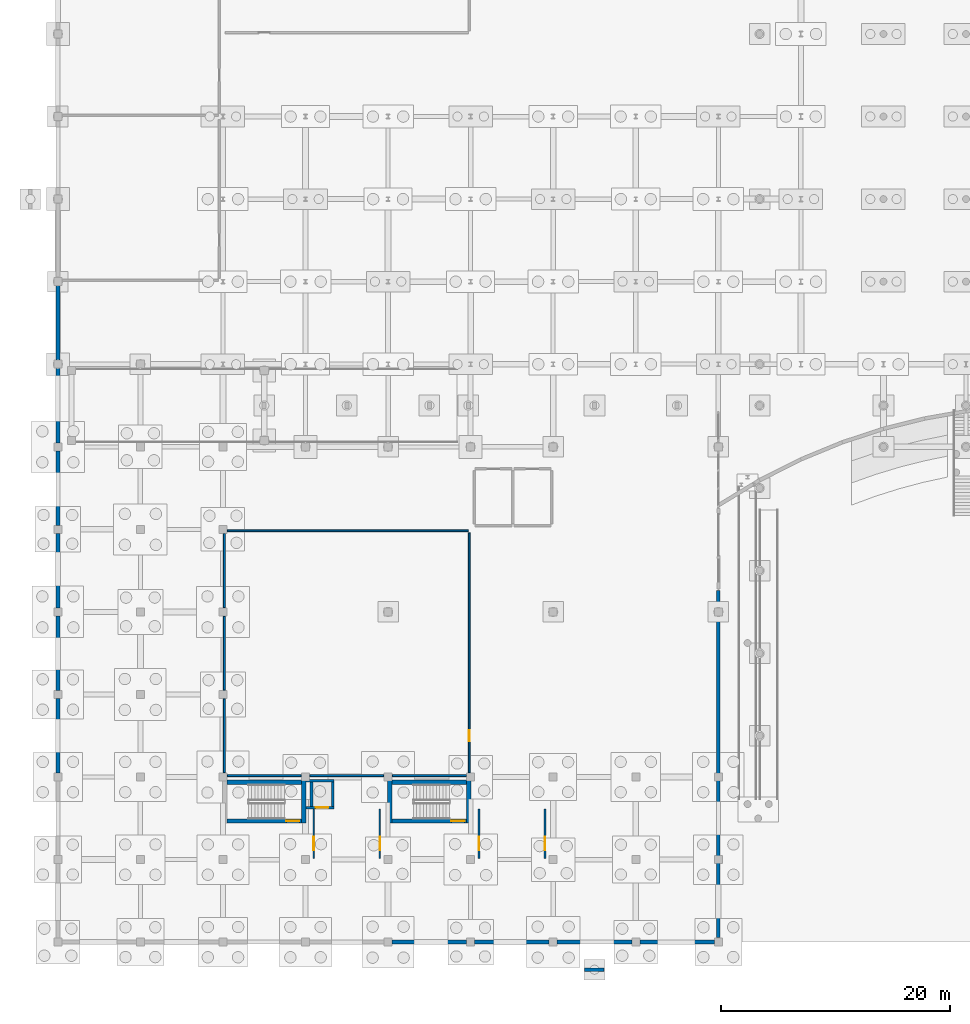
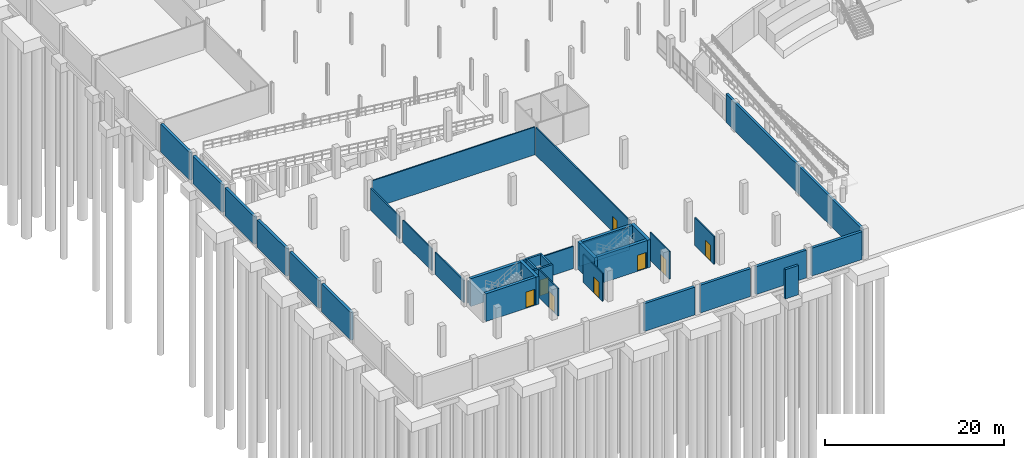
# One storey, part 39 of 56: 35 walls, 8 doors, 8 openings.
"""IFC4 building model written with IfcOpenShell, lengths in metres."""

import ifcopenshell
import ifcopenshell.guid

model = None  # the IFC model being written
_history = None  # IfcOwnerHistory: only IFC2X3 demands one
_inside = {}  # id of a spatial element -> (the spatial element, [elements in it])
_under = {}  # id of a project, library or spatial element -> (it, [spatial elements below it])
_declared = {}  # id of a project -> (the project, [libraries it declares])
_typed = {}  # id of a type object -> (the type object, [elements of that type])
_made_of = {}  # id of a material, layer set ... -> (it, [elements and type objects made of it])


def new_model(schema):
    """Start an empty IFC model of exactly this schema.

    Asked for "IFC4X3", IfcOpenShell would pick the latest addendum, in which some entities
    have other attributes; the version numbers below select the first issue.
    IFC2X3 requires an IfcOwnerHistory on every rooted entity: one is made here for all.
    """
    global model, _history
    if schema == "IFC4X3":
        model = ifcopenshell.file(schema_version=(4, 3, 0, 0))
    else:
        model = ifcopenshell.file(schema=schema)
    _inside.clear()
    _under.clear()
    _declared.clear()
    _typed.clear()
    _made_of.clear()
    _history = None
    if model.schema == "IFC2X3":
        org = make("IfcOrganization", Name="unknown")
        user = make(
            "IfcPersonAndOrganization",
            ThePerson=make("IfcPerson", FamilyName="unknown"),
            TheOrganization=org,
        )
        app = make(
            "IfcApplication",
            ApplicationDeveloper=org,
            Version="unknown",
            ApplicationFullName="unknown",
            ApplicationIdentifier="unknown",
        )
        _history = make(
            "IfcOwnerHistory",
            OwningUser=user,
            OwningApplication=app,
            ChangeAction="ADDED",
            CreationDate=0,
        )
    return model


def make(cls, **values):
    """One entity of the class cls with the attributes given. An attribute that is None is left unset."""
    return model.create_entity(
        cls, **{name: value for name, value in values.items() if value is not None}
    )


def rooted(cls, **values):
    """An entity with a GlobalId (a new one), such as an element, a storey or a relation."""
    return make(cls, GlobalId=ifcopenshell.guid.new(), OwnerHistory=_history, **values)


def si_unit(unit_type, name, prefix=None):
    """IfcSIUnit, for example si_unit("LENGTHUNIT", "METRE", prefix="MILLI")."""
    return make("IfcSIUnit", UnitType=unit_type, Prefix=prefix, Name=name)


def assignment(units):
    """IfcUnitAssignment: the units of a project."""
    return None if units is None else make("IfcUnitAssignment", Units=units)


def point(xyz):
    """IfcCartesianPoint."""
    return None if xyz is None else make("IfcCartesianPoint", Coordinates=xyz)


def direction(xyz):
    """IfcDirection."""
    return None if xyz is None else make("IfcDirection", DirectionRatios=xyz)


def frame(location, z_axis=None, x_axis=None):
    """IfcAxis2Placement3D, a coordinate frame: its origin and axes. An axis left out is left unset."""
    return make(
        "IfcAxis2Placement3D",
        Location=point(location),
        Axis=direction(z_axis),
        RefDirection=direction(x_axis),
    )


def frame_2d(location, x_axis=None):
    """IfcAxis2Placement2D, a coordinate frame in the plane: its origin and x axis."""
    return make(
        "IfcAxis2Placement2D", Location=point(location), RefDirection=direction(x_axis)
    )


def origin():
    """The frame at (0, 0, 0) with its axes left unset."""
    return frame((0.0, 0.0, 0.0))


def place(relative_to, where):
    """IfcLocalPlacement: puts the frame where relative to a parent placement (None: the world)."""
    return make(
        "IfcLocalPlacement", PlacementRelTo=relative_to, RelativePlacement=where
    )


def context(
    kind, dimensions, precision=None, world=None, true_north=None, identifier=None
):
    """IfcGeometricRepresentationContext, for example the 3D "Model" context."""
    return make(
        "IfcGeometricRepresentationContext",
        ContextIdentifier=identifier,
        ContextType=kind,
        CoordinateSpaceDimension=dimensions,
        Precision=precision,
        WorldCoordinateSystem=world,
        TrueNorth=true_north,
    )


def subcontext(parent, identifier, kind, view, scale=None):
    """IfcGeometricRepresentationSubContext, for example "Body" below "Model"."""
    return make(
        "IfcGeometricRepresentationSubContext",
        ContextIdentifier=identifier,
        ContextType=kind,
        ParentContext=parent,
        TargetScale=scale,
        TargetView=view,
    )


def project(units=None, contexts=None):
    """IfcProject with its units and contexts."""
    return rooted(
        "IfcProject",
        Name="project",
        RepresentationContexts=contexts,
        UnitsInContext=assignment(units),
    )


def spatial(cls, under=None, at=None, **own):
    """A site, building, storey or space (cls), placed at a placement, below another one or the project."""
    s = rooted(cls, ObjectPlacement=at, **own)
    if under is not None:
        _under.setdefault(under.id(), (under, []))[1].append(s)
    return s


def profile(cls, at=None, kind="AREA", **sizes):
    """A parametric profile (cls). Its sizes go by their IFC names, for example OverallWidth=200.0."""
    return make(cls, ProfileType=kind, Position=at, **sizes)


def rectangle(**sizes):
    """IfcRectangleProfileDef."""
    return profile("IfcRectangleProfileDef", **sizes)


def extrude(swept, where, along, depth):
    """IfcExtrudedAreaSolid: the profile swept, set in the frame where, extruded along a direction by depth."""
    return make(
        "IfcExtrudedAreaSolid",
        SweptArea=swept,
        Position=where,
        ExtrudedDirection=direction(along),
        Depth=depth,
    )


def shape(context_of_items, identifier, shape_type, items):
    """IfcShapeRepresentation: the items that make up one representation, for example the "Body"."""
    return make(
        "IfcShapeRepresentation",
        ContextOfItems=context_of_items,
        RepresentationIdentifier=identifier,
        RepresentationType=shape_type,
        Items=items,
    )


def material(Name=None, Category=None):
    """IfcMaterial."""
    return make("IfcMaterial", Name=Name, Category=Category)


def layer(
    of_material, thickness, ventilated=None, Name=None, Category=None, Priority=None
):
    """IfcMaterialLayer: one layer of a wall or slab, of a material (None: an air gap)."""
    return make(
        "IfcMaterialLayer",
        Material=of_material,
        LayerThickness=thickness,
        IsVentilated=ventilated,
        Name=Name,
        Category=Category,
        Priority=Priority,
    )


def layer_set(layers, Name=None):
    """IfcMaterialLayerSet."""
    return make("IfcMaterialLayerSet", MaterialLayers=layers, LayerSetName=Name)


def made_of(thing, what):
    """Note that an element or type object is made of a material, layer set ...; save() writes the relation."""
    if what is not None:
        _made_of.setdefault(what.id(), (what, []))[1].append(thing)
    return thing


def type_object(cls, material=None, **own):
    """A type object (cls), such as IfcWallType, which elements share."""
    return made_of(rooted(cls, **own), material)


def element(
    cls,
    number,
    at=None,
    inside=None,
    cuts=None,
    type_object=None,
    material=None,
    context=None,
    identifier="Body",
    shape_type=None,
    held_by="IfcProductDefinitionShape",
    body=None,
    shapes=None,
    **own,
):
    """One element of the class cls, such as IfcWall. Its Tag is "e" and its number.

    at: its placement. inside: the storey or other place that contains it. cuts: it is an
    opening in that element (IfcRelVoidsElement). A single representation is given by context,
    identifier, shape_type and body (its items); several are given by shapes. held_by: the class
    of the entity that holds the representations. save() writes the other relations.
    """
    e = rooted(cls, Tag="e%d" % number, ObjectPlacement=at, **own)
    if body is not None:
        shapes = [shape(context, identifier, shape_type, body)]
    if shapes is not None:
        e.Representation = make(held_by, Representations=shapes)
    if inside is not None:
        _inside.setdefault(inside.id(), (inside, []))[1].append(e)
    if cuts is not None:
        rooted(
            "IfcRelVoidsElement", RelatingBuildingElement=cuts, RelatedOpeningElement=e
        )
    if type_object is not None:
        _typed.setdefault(type_object.id(), (type_object, []))[1].append(e)
    return made_of(e, material)


def fill(opening, filler):
    """IfcRelFillsElement: the door or window that sits in an opening."""
    return rooted(
        "IfcRelFillsElement",
        RelatingOpeningElement=opening,
        RelatedBuildingElement=filler,
    )


def aggregate(whole, parts):
    """IfcRelAggregates: a whole, such as a stair, and the parts it consists of."""
    return rooted("IfcRelAggregates", RelatingObject=whole, RelatedObjects=parts)


def save(model, path):
    """Write the relations noted so far, then the file.

    IfcRelAggregates (storeys below a building ...), IfcRelContainedInSpatialStructure (elements
    in a storey), IfcRelDefinesByType, IfcRelAssociatesMaterial and IfcRelDeclares: one each for
    every whole, place, type object, material and project.
    """
    for whole, parts in _under.values():
        aggregate(whole, parts)
    for where, things in _inside.values():
        rooted(
            "IfcRelContainedInSpatialStructure",
            RelatedElements=things,
            RelatingStructure=where,
        )
    for kind, things in _typed.values():
        rooted("IfcRelDefinesByType", RelatedObjects=things, RelatingType=kind)
    for what, things in _made_of.values():
        rooted("IfcRelAssociatesMaterial", RelatedObjects=things, RelatingMaterial=what)
    for by, libraries in _declared.values():
        rooted("IfcRelDeclares", RelatingContext=by, RelatedDefinitions=libraries)
    model.write(path)


model = new_model("IFC4")

# Units and contexts
model_context = context("Model", 3, precision=1e-05, world=origin(), true_north=direction((0.0, 1.0)))
body_context = subcontext(model_context, "Body", "Model", "MODEL_VIEW")
ifc_project = project(units=[si_unit("LENGTHUNIT", "METRE"), si_unit("AREAUNIT", "SQUARE_METRE"), si_unit("VOLUMEUNIT", "CUBIC_METRE"), si_unit("PLANEANGLEUNIT", "RADIAN"), si_unit("MASSUNIT", "GRAM", prefix="KILO")], contexts=[model_context])

# Site, building, storey
site_placement = place(None, origin())
site = spatial("IfcSite", under=ifc_project, at=site_placement, CompositionType="ELEMENT")
building_placement = place(site_placement, origin())
building = spatial("IfcBuilding", under=site, at=building_placement, Name="Suanplinth Sawtooth Commons", CompositionType="ELEMENT")
storey_placement = place(building_placement, frame((0.0, 0.0, -4.199951171875)))
storey = spatial("IfcBuildingStorey", under=building, at=storey_placement, Name="B1", CompositionType="ELEMENT", Elevation=-4.199951171875)

# Wall, opening, door
ifc_material_1 = material(Name="Concrete C40/50", Category="concrete")
ifc_layer_1 = layer(ifc_material_1, 0.3798828125, Name="Lower high-rise RC core shear wall 380mm")
ifc_layer_set_1 = layer_set([ifc_layer_1], Name="Concrete C40/50")
wall_type_1 = type_object("IfcWallType", Name="W-CR01", PredefinedType="SHEAR", material=ifc_layer_set_1)
wall_1_placement = place(storey_placement, frame((14.75, 10.56005859375, 0.0), z_axis=(0.0, 0.0, 1.0), x_axis=(1.0, 0.0, 0.0)))
wall_1 = element("IfcWall", 1, at=wall_1_placement, inside=storey, type_object=wall_type_1, Name="W-B1-C-D1-STS", PredefinedType="SHEAR", context=body_context, shape_type="SweptSolid", body=[
    extrude(rectangle(XDim=6.5, YDim=0.3798828125, at=frame_2d((3.25, 0.0))), origin(), (0.0, 0.0, 1.0), 3.7900390625),
])
opening_1_placement = place(wall_1_placement, frame((5.169921875, 0.0, 0.0)))
opening_1 = element("IfcOpeningElement", 2, at=opening_1_placement, cuts=wall_1, Name="Opening FD0357", PredefinedType="OPENING", context=body_context, shape_type="SweptSolid", body=[
    extrude(rectangle(XDim=1.14990234375, YDim=2.199951171875, at=frame_2d((0.574951171875, 1.10009765625))), frame((0.0, 0.204833984375, 0.0), z_axis=(0.0, -1.0, 0.0), x_axis=(1.0, 0.0, 0.0)), (0.0, 0.0, 1.0), 0.40966796875),
])
ifc_material_2 = material(Name="Teak hardwood fire-rated door assembly", Category="wood")
door_type_1 = type_object("IfcDoorType", Name="FD-01", OperationType="NOTDEFINED", PredefinedType="DOOR", material=ifc_material_2)
door_1_placement = place(opening_1_placement, origin())
door_1 = element("IfcDoor", 3, at=door_1_placement, inside=storey, type_object=door_type_1, Name="Exit Stair Fire Door FD0357", OperationType="SINGLE_SWING_RIGHT", OverallHeight=2.199951171875, OverallWidth=1.14990234375, PredefinedType="DOOR", context=body_context, shape_type="SweptSolid", body=[
    extrude(rectangle(XDim=1.14990234375, YDim=2.199951171875, at=frame_2d((0.574951171875, 1.10009765625))), frame((0.0, 0.02490234375, 0.0), z_axis=(0.0, -1.0, 0.0), x_axis=(1.0, 0.0, 0.0)), (0.0, 0.0, 1.0), 0.050048828125),
])
fill(opening_1, door_1)

# Walls
wall_2_placement = place(storey_placement, frame((14.75, 13.93994140625, 0.0), z_axis=(0.0, 0.0, 1.0), x_axis=(1.0, 0.0, 0.0)))
element("IfcWall", 4, at=wall_2_placement, inside=storey, type_object=wall_type_1, Name="W-B1-C-D1-STN", PredefinedType="SHEAR", context=body_context, shape_type="SweptSolid", body=[
    extrude(rectangle(XDim=6.5, YDim=0.3798828125, at=frame_2d((3.25, 0.0))), origin(), (0.0, 0.0, 1.0), 3.7900390625),
])
wall_3_placement = place(storey_placement, frame((21.43994140625, 10.3701171875, 0.0), z_axis=(0.0, 0.0, 1.0), x_axis=(0.0, 1.0, 0.0)))
element("IfcWall", 5, at=wall_3_placement, inside=storey, type_object=wall_type_1, Name="W-B1-C-D1-STE", PredefinedType="SHEAR", context=body_context, shape_type="SweptSolid", body=[
    extrude(rectangle(XDim=3.829833984375, YDim=0.3798828125, at=frame_2d((1.9150390625, 0.0))), origin(), (0.0, 0.0, 1.0), 3.7900390625),
])

# Wall, opening, door
wall_4_placement = place(storey_placement, frame((29.14990234375, 10.56005859375, 0.0), z_axis=(0.0, 0.0, 1.0), x_axis=(1.0, 0.0, 0.0)))
wall_4 = element("IfcWall", 6, at=wall_4_placement, inside=storey, type_object=wall_type_1, Name="W-B1-C-D2-STS", PredefinedType="SHEAR", context=body_context, shape_type="SweptSolid", body=[
    extrude(rectangle(XDim=6.5, YDim=0.3798828125, at=frame_2d((3.25, 0.0))), origin(), (0.0, 0.0, 1.0), 3.7900390625),
])
opening_2_placement = place(wall_4_placement, frame((5.169921875, 0.0, 0.0)))
opening_2 = element("IfcOpeningElement", 7, at=opening_2_placement, cuts=wall_4, Name="Opening FD0397", PredefinedType="OPENING", context=body_context, shape_type="SweptSolid", body=[
    extrude(rectangle(XDim=1.14990234375, YDim=2.199951171875, at=frame_2d((0.574951171875, 1.10009765625))), frame((0.0, 0.204833984375, 0.0), z_axis=(0.0, -1.0, 0.0), x_axis=(1.0, 0.0, 0.0)), (0.0, 0.0, 1.0), 0.40966796875),
])
door_2_placement = place(opening_2_placement, origin())
door_2 = element("IfcDoor", 8, at=door_2_placement, inside=storey, type_object=door_type_1, Name="Exit Stair Fire Door FD0397", OperationType="SINGLE_SWING_RIGHT", OverallHeight=2.199951171875, OverallWidth=1.14990234375, PredefinedType="DOOR", context=body_context, shape_type="SweptSolid", body=[
    extrude(rectangle(XDim=1.14990234375, YDim=2.199951171875, at=frame_2d((0.574951171875, 1.10009765625))), frame((0.0, 0.02490234375, 0.0), z_axis=(0.0, -1.0, 0.0), x_axis=(1.0, 0.0, 0.0)), (0.0, 0.0, 1.0), 0.050048828125),
])
fill(opening_2, door_2)

# Walls
wall_5_placement = place(storey_placement, frame((29.14990234375, 13.93994140625, 0.0), z_axis=(0.0, 0.0, 1.0), x_axis=(1.0, 0.0, 0.0)))
element("IfcWall", 9, at=wall_5_placement, inside=storey, type_object=wall_type_1, Name="W-B1-C-D2-STN", PredefinedType="SHEAR", context=body_context, shape_type="SweptSolid", body=[
    extrude(rectangle(XDim=6.5, YDim=0.3798828125, at=frame_2d((3.25, 0.0))), origin(), (0.0, 0.0, 1.0), 3.7900390625),
])
for number, where, z_axis, x_axis, name in (
    (10, (28.9599609375, 10.3701171875, 0.0), (0.0, 0.0, 1.0), (0.0, 1.0, 0.0), "W-B1-C-D2-STW"),
    (11, (35.840087890625, 10.3701171875, 0.0), (0.0, 0.0, 1.0), (0.0, 1.0, 0.0), "W-B1-C-D2-STE"),
):
    element("IfcWall", number, at=place(storey_placement, frame(where, z_axis=z_axis, x_axis=x_axis)), inside=storey, type_object=wall_type_1, Name=name, PredefinedType="SHEAR", context=body_context, shape_type="SweptSolid", body=[
        extrude(rectangle(XDim=3.759765625, YDim=0.3798828125, at=frame_2d((1.8798828125, 0.0))), origin(), (0.0, 0.0, 1.0), 3.7900390625),
    ])

# Wall, opening, door
ifc_material_3 = material(Name="Precast concrete C40/50", Category="concrete")
ifc_layer_2 = layer(ifc_material_3, 0.159912109375, Name="Fire-rated corridor and lobby wall 160mm")
ifc_layer_set_2 = layer_set([ifc_layer_2], Name="Precast concrete C40/50")
wall_type_2 = type_object("IfcWallType", Name="W-FW01", PredefinedType="PARTITIONING", material=ifc_layer_set_2)
wall_6_placement = place(storey_placement, frame((22.320068359375, 7.280029296875, 0.0), z_axis=(0.0, 0.0, 1.0), x_axis=(0.0, 1.0, 0.0)))
wall_6 = element("IfcWall", 12, at=wall_6_placement, inside=storey, type_object=wall_type_2, Name="W-B1-C-D1-LOB-W", PredefinedType="PARTITIONING", context=body_context, shape_type="SweptSolid", body=[
    extrude(rectangle(XDim=4.320068359375, YDim=0.159912109375, at=frame_2d((2.16015625, 0.0))), origin(), (0.0, 0.0, 1.0), 3.7900390625),
])
opening_3_placement = place(wall_6_placement, frame((0.719970703125, 0.0, 0.0)))
opening_3 = element("IfcOpeningElement", 13, at=opening_3_placement, cuts=wall_6, Name="Opening FD0358", PredefinedType="OPENING", context=body_context, shape_type="SweptSolid", body=[
    extrude(rectangle(XDim=1.199951171875, YDim=2.199951171875, at=frame_2d((0.60009765625, 1.10009765625))), frame((0.0, 0.0947265625, 0.0), z_axis=(0.0, -1.0, 0.0), x_axis=(1.0, 0.0, 0.0)), (0.0, 0.0, 1.0), 0.189697265625),
])
door_type_2 = type_object("IfcDoorType", Name="FD-02", OperationType="NOTDEFINED", PredefinedType="DOOR", material=ifc_material_2)
door_3_placement = place(opening_3_placement, origin())
door_3 = element("IfcDoor", 14, at=door_3_placement, inside=storey, type_object=door_type_2, Name="Lobby Fire Door FD0358", OperationType="SINGLE_SWING_LEFT", OverallHeight=2.199951171875, OverallWidth=1.199951171875, PredefinedType="DOOR", context=body_context, shape_type="SweptSolid", body=[
    extrude(rectangle(XDim=1.199951171875, YDim=2.199951171875, at=frame_2d((0.60009765625, 1.10009765625))), frame((0.0, 0.02490234375, 0.0), z_axis=(0.0, -1.0, 0.0), x_axis=(1.0, 0.0, 0.0)), (0.0, 0.0, 1.0), 0.050048828125),
])
fill(opening_3, door_3)

wall_7_placement = place(storey_placement, frame((28.080078125, 7.280029296875, 0.0), z_axis=(0.0, 0.0, 1.0), x_axis=(0.0, 1.0, 0.0)))
wall_7 = element("IfcWall", 15, at=wall_7_placement, inside=storey, type_object=wall_type_2, Name="W-B1-C-D1-LOB-E", PredefinedType="PARTITIONING", context=body_context, shape_type="SweptSolid", body=[
    extrude(rectangle(XDim=4.320068359375, YDim=0.159912109375, at=frame_2d((2.16015625, 0.0))), origin(), (0.0, 0.0, 1.0), 3.7900390625),
])
opening_4_placement = place(wall_7_placement, frame((0.719970703125, 0.0, 0.0)))
opening_4 = element("IfcOpeningElement", 16, at=opening_4_placement, cuts=wall_7, Name="Opening FD0359", PredefinedType="OPENING", context=body_context, shape_type="SweptSolid", body=[
    extrude(rectangle(XDim=1.199951171875, YDim=2.199951171875, at=frame_2d((0.60009765625, 1.10009765625))), frame((0.0, 0.0947265625, 0.0), z_axis=(0.0, -1.0, 0.0), x_axis=(1.0, 0.0, 0.0)), (0.0, 0.0, 1.0), 0.189697265625),
])
door_4_placement = place(opening_4_placement, frame((1.199951171875, 0.0, 0.0), z_axis=(0.0, 0.0, 1.0), x_axis=(-1.0, 0.0, 0.0)))
door_4 = element("IfcDoor", 17, at=door_4_placement, inside=storey, type_object=door_type_2, Name="Lobby Fire Door FD0359", OperationType="SINGLE_SWING_RIGHT", OverallHeight=2.199951171875, OverallWidth=1.199951171875, PredefinedType="DOOR", context=body_context, shape_type="SweptSolid", body=[
    extrude(rectangle(XDim=1.199951171875, YDim=2.199951171875, at=frame_2d((0.60009765625, 1.10009765625))), frame((0.0, 0.02490234375, 0.0), z_axis=(0.0, -1.0, 0.0), x_axis=(1.0, 0.0, 0.0)), (0.0, 0.0, 1.0), 0.050048828125),
])
fill(opening_4, door_4)

wall_8_placement = place(storey_placement, frame((36.719970703125, 7.280029296875, 0.0), z_axis=(0.0, 0.0, 1.0), x_axis=(0.0, 1.0, 0.0)))
wall_8 = element("IfcWall", 18, at=wall_8_placement, inside=storey, type_object=wall_type_2, Name="W-B1-C-D2-LOB-W", PredefinedType="PARTITIONING", context=body_context, shape_type="SweptSolid", body=[
    extrude(rectangle(XDim=4.320068359375, YDim=0.159912109375, at=frame_2d((2.16015625, 0.0))), origin(), (0.0, 0.0, 1.0), 3.7900390625),
])
opening_5_placement = place(wall_8_placement, frame((0.719970703125, 0.0, 0.0)))
opening_5 = element("IfcOpeningElement", 19, at=opening_5_placement, cuts=wall_8, Name="Opening FD0398", PredefinedType="OPENING", context=body_context, shape_type="SweptSolid", body=[
    extrude(rectangle(XDim=1.199951171875, YDim=2.199951171875, at=frame_2d((0.60009765625, 1.10009765625))), frame((0.0, 0.0947265625, 0.0), z_axis=(0.0, -1.0, 0.0), x_axis=(1.0, 0.0, 0.0)), (0.0, 0.0, 1.0), 0.189697265625),
])
door_5_placement = place(opening_5_placement, origin())
door_5 = element("IfcDoor", 20, at=door_5_placement, inside=storey, type_object=door_type_2, Name="Lobby Fire Door FD0398", OperationType="SINGLE_SWING_LEFT", OverallHeight=2.199951171875, OverallWidth=1.199951171875, PredefinedType="DOOR", context=body_context, shape_type="SweptSolid", body=[
    extrude(rectangle(XDim=1.199951171875, YDim=2.199951171875, at=frame_2d((0.60009765625, 1.10009765625))), frame((0.0, 0.02490234375, 0.0), z_axis=(0.0, -1.0, 0.0), x_axis=(1.0, 0.0, 0.0)), (0.0, 0.0, 1.0), 0.050048828125),
])
fill(opening_5, door_5)

wall_9_placement = place(storey_placement, frame((42.47998046875, 7.280029296875, 0.0), z_axis=(0.0, 0.0, 1.0), x_axis=(0.0, 1.0, 0.0)))
wall_9 = element("IfcWall", 21, at=wall_9_placement, inside=storey, type_object=wall_type_2, Name="W-B1-C-D2-LOB-E", PredefinedType="PARTITIONING", context=body_context, shape_type="SweptSolid", body=[
    extrude(rectangle(XDim=4.320068359375, YDim=0.159912109375, at=frame_2d((2.16015625, 0.0))), origin(), (0.0, 0.0, 1.0), 3.7900390625),
])
opening_6_placement = place(wall_9_placement, frame((0.719970703125, 0.0, 0.0)))
opening_6 = element("IfcOpeningElement", 22, at=opening_6_placement, cuts=wall_9, Name="Opening FD0399", PredefinedType="OPENING", context=body_context, shape_type="SweptSolid", body=[
    extrude(rectangle(XDim=1.199951171875, YDim=2.199951171875, at=frame_2d((0.60009765625, 1.10009765625))), frame((0.0, 0.0947265625, 0.0), z_axis=(0.0, -1.0, 0.0), x_axis=(1.0, 0.0, 0.0)), (0.0, 0.0, 1.0), 0.189697265625),
])
door_6_placement = place(opening_6_placement, frame((1.199951171875, 0.0, 0.0), z_axis=(0.0, 0.0, 1.0), x_axis=(-1.0, 0.0, 0.0)))
door_6 = element("IfcDoor", 23, at=door_6_placement, inside=storey, type_object=door_type_2, Name="Lobby Fire Door FD0399", OperationType="SINGLE_SWING_RIGHT", OverallHeight=2.199951171875, OverallWidth=1.199951171875, PredefinedType="DOOR", context=body_context, shape_type="SweptSolid", body=[
    extrude(rectangle(XDim=1.199951171875, YDim=2.199951171875, at=frame_2d((0.60009765625, 1.10009765625))), frame((0.0, 0.02490234375, 0.0), z_axis=(0.0, -1.0, 0.0), x_axis=(1.0, 0.0, 0.0)), (0.0, 0.0, 1.0), 0.050048828125),
])
fill(opening_6, door_6)

# Walls
wall_10_placement = place(storey_placement, frame((14.780029296875, 35.8798828125, 0.0), z_axis=(0.0, 0.0, 1.0), x_axis=(1.0, 0.0, 0.0)))
element("IfcWall", 24, at=wall_10_placement, inside=storey, type_object=wall_type_2, Name="W-B1-CYCW-N", PredefinedType="PARTITIONING", context=body_context, shape_type="SweptSolid", body=[
    extrude(rectangle(XDim=21.02001953125, YDim=0.159912109375, at=frame_2d((10.510009765625, 0.0))), origin(), (0.0, 0.0, 1.0), 3.7900390625),
])
for number, where, z_axis, x_axis, name in (
    (25, (14.780029296875, 14.52001953125, 0.0), (0.0, 0.0, 1.0), (1.0, 0.0, 0.0), "W-B1-CYCW-S-S1"),
    (26, (21.97998046875, 14.52001953125, 0.0), (0.0, 0.0, 1.0), (1.0, 0.0, 0.0), "W-B1-CYCW-S-S2"),
):
    element("IfcWall", number, at=place(storey_placement, frame(where, z_axis=z_axis, x_axis=x_axis)), inside=storey, type_object=wall_type_2, Name=name, PredefinedType="PARTITIONING", context=body_context, shape_type="SweptSolid", body=[
        extrude(rectangle(XDim=6.43994140625, YDim=0.159912109375, at=frame_2d((3.219970703125, 0.0))), origin(), (0.0, 0.0, 1.0), 3.02490234375),
    ])
wall_11_placement = place(storey_placement, frame((29.179931640625, 14.52001953125, 0.0), z_axis=(0.0, 0.0, 1.0), x_axis=(1.0, 0.0, 0.0)))
element("IfcWall", 27, at=wall_11_placement, inside=storey, type_object=wall_type_2, Name="W-B1-CYCW-S-S3", PredefinedType="PARTITIONING", context=body_context, shape_type="SweptSolid", body=[
    extrude(rectangle(XDim=6.440185546875, YDim=0.159912109375, at=frame_2d((3.22021484375, 0.0))), origin(), (0.0, 0.0, 1.0), 3.02490234375),
])
for number, where, z_axis, x_axis, name in (
    (28, (14.52001953125, 14.780029296875, 0.0), (0.0, 0.0, 1.0), (0.0, 1.0, 0.0), "W-B1-CYCW-W-S1"),
    (29, (14.52001953125, 21.97998046875, 0.0), (0.0, 0.0, 1.0), (0.0, 1.0, 0.0), "W-B1-CYCW-W-S2"),
):
    element("IfcWall", number, at=place(storey_placement, frame(where, z_axis=z_axis, x_axis=x_axis)), inside=storey, type_object=wall_type_2, Name=name, PredefinedType="PARTITIONING", context=body_context, shape_type="SweptSolid", body=[
        extrude(rectangle(XDim=6.43994140625, YDim=0.159912109375, at=frame_2d((3.219970703125, 0.0))), origin(), (0.0, 0.0, 1.0), 3.02490234375),
    ])
wall_12_placement = place(storey_placement, frame((14.52001953125, 29.179931640625, 0.0), z_axis=(0.0, 0.0, 1.0), x_axis=(0.0, 1.0, 0.0)))
element("IfcWall", 30, at=wall_12_placement, inside=storey, type_object=wall_type_2, Name="W-B1-CYCW-W-S3", PredefinedType="PARTITIONING", context=body_context, shape_type="SweptSolid", body=[
    extrude(rectangle(XDim=6.440185546875, YDim=0.159912109375, at=frame_2d((3.22021484375, 0.0))), origin(), (0.0, 0.0, 1.0), 3.02490234375),
])

# Wall, opening, door
wall_13_placement = place(storey_placement, frame((35.8798828125, 14.780029296875, 0.0), z_axis=(0.0, 0.0, 1.0), x_axis=(0.0, 1.0, 0.0)))
wall_13 = element("IfcWall", 31, at=wall_13_placement, inside=storey, type_object=wall_type_2, Name="W-B1-CYCW-E", PredefinedType="PARTITIONING", context=body_context, shape_type="SweptSolid", body=[
    extrude(rectangle(XDim=20.919921875, YDim=0.159912109375, at=frame_2d((10.4599609375, 0.0))), origin(), (0.0, 0.0, 1.0), 3.7900390625),
])
opening_7_placement = place(wall_13_placement, frame((2.7451171875, 0.0, 0.0)))
opening_7 = element("IfcOpeningElement", 32, at=opening_7_placement, cuts=wall_13, Name="Opening FD0431", PredefinedType="OPENING", context=body_context, shape_type="SweptSolid", body=[
    extrude(rectangle(XDim=0.949951171875, YDim=2.10009765625, at=frame_2d((0.47509765625, 1.050048828125))), frame((0.0, 0.0947265625, 0.0), z_axis=(0.0, -1.0, 0.0), x_axis=(1.0, 0.0, 0.0)), (0.0, 0.0, 1.0), 0.189697265625),
])
door_type_3 = type_object("IfcDoorType", Name="FD-05", OperationType="NOTDEFINED", PredefinedType="DOOR", material=ifc_material_2)
door_7_placement = place(opening_7_placement, frame((0.949951171875, 0.0, 0.0), z_axis=(0.0, 0.0, 1.0), x_axis=(-1.0, 0.0, 0.0)))
door_7 = element("IfcDoor", 33, at=door_7_placement, inside=storey, type_object=door_type_3, Name="Basement Door FD0431", OperationType="SINGLE_SWING_RIGHT", OverallHeight=2.10009765625, OverallWidth=0.949951171875, PredefinedType="DOOR", context=body_context, shape_type="SweptSolid", body=[
    extrude(rectangle(XDim=0.949951171875, YDim=2.10009765625, at=frame_2d((0.47509765625, 1.050048828125))), frame((0.0, 0.02490234375, 0.0), z_axis=(0.0, -1.0, 0.0), x_axis=(1.0, 0.0, 0.0)), (0.0, 0.0, 1.0), 0.050048828125),
])
fill(opening_7, door_7)

# Walls
ifc_material_4 = material(Name="Concrete C35/45", Category="concrete")
ifc_layer_3 = layer(ifc_material_4, 0.35009765625, Name="Basement perimeter RC retaining wall 350mm")
ifc_layer_set_3 = layer_set([ifc_layer_3], Name="Concrete C35/45")
wall_type_3 = type_object("IfcWallType", Name="W-RT01", PredefinedType="SOLIDWALL", material=ifc_layer_set_3)
for number, where, z_axis, x_axis, name in (
    (34, (29.14990234375, 0.0, 0.0), (0.0, 0.0, 1.0), (1.0, 0.0, 0.0), "Basement South Plinth Retaining Wall Bay 5"),
    (35, (36.35009765625, 0.0, 0.0), (0.0, 0.0, 1.0), (1.0, 0.0, 0.0), "Basement South Plinth Retaining Wall Bay 6"),
    (36, (43.550048828125, 0.0, 0.0), (0.0, 0.0, 1.0), (1.0, 0.0, 0.0), "Basement South Plinth Retaining Wall Bay 7"),
    (37, (50.75, 0.0, 0.0), (0.0, 0.0, 1.0), (1.0, 0.0, 0.0), "Basement South Plinth Retaining Wall Bay 8"),
    (38, (0.0, 14.75, 0.0), (0.0, 0.0, 1.0), (0.0, 1.0, 0.0), "Basement West Plinth Retaining Wall Bay 3"),
    (39, (0.0, 21.949951171875, 0.0), (0.0, 0.0, 1.0), (0.0, 1.0, 0.0), "Basement West Plinth Retaining Wall Bay 4"),
    (40, (0.0, 29.14990234375, 0.0), (0.0, 0.0, 1.0), (0.0, 1.0, 0.0), "Basement West Plinth Retaining Wall Bay 5"),
    (41, (0.0, 36.35009765625, 0.0), (0.0, 0.0, 1.0), (0.0, 1.0, 0.0), "Basement West Plinth Retaining Wall Bay 6"),
    (42, (0.0, 43.550048828125, 0.0), (0.0, 0.0, 1.0), (0.0, 1.0, 0.0), "Basement West Plinth Retaining Wall Bay 7"),
    (43, (0.0, 50.75, 0.0), (0.0, 0.0, 1.0), (0.0, 1.0, 0.0), "Basement West Plinth Retaining Wall Bay 8"),
):
    element("IfcWall", number, at=place(storey_placement, frame(where, z_axis=z_axis, x_axis=x_axis)), inside=storey, type_object=wall_type_3, Name=name, PredefinedType="SOLIDWALL", context=body_context, shape_type="SweptSolid", body=[
        extrude(rectangle(XDim=6.5, YDim=0.35009765625, at=frame_2d((3.25, 0.0))), origin(), (0.0, 0.0, 1.0), 3.800048828125),
    ])
ifc_layer_4 = layer(ifc_material_4, 0.300048828125, Name="Sunken forecourt & plinth skirt RC wall 300mm")
ifc_layer_set_4 = layer_set([ifc_layer_4], Name="Concrete C35/45")
wall_type_4 = type_object("IfcWallType", Name="W-RT02", PredefinedType="SOLIDWALL", material=ifc_layer_set_4)
wall_14_placement = place(storey_placement, frame((57.60009765625, 0.419921875, 0.0), z_axis=(0.0, 0.0, 1.0), x_axis=(0.0, 1.0, 0.0)))
element("IfcWall", 44, at=wall_14_placement, inside=storey, type_object=wall_type_4, Name="Forecourt West Retaining Wall", PredefinedType="SOLIDWALL", context=body_context, shape_type="SweptSolid", body=[
    extrude(rectangle(XDim=30.22998046875, YDim=0.300048828125, at=frame_2d((15.114990234375, 0.0))), origin(), (0.0, 0.0, 1.0), 3.849853515625),
])
wall_15_placement = place(storey_placement, frame((45.949951171875, -2.39990234375, 0.0), z_axis=(0.0, 0.0, 1.0), x_axis=(1.0, 0.0, 0.0)))
element("IfcWall", 45, at=wall_15_placement, inside=storey, type_object=wall_type_4, Name="Threshold Ramp Toe Abutment Wall AR-05", PredefinedType="SOLIDWALL", context=body_context, shape_type="SweptSolid", body=[
    extrude(rectangle(XDim=1.699951171875, YDim=0.300048828125, at=frame_2d((0.85009765625, 0.0))), origin(), (0.0, 0.0, 1.0), 4.0),
])

# Wall, opening, door
ifc_layer_5 = layer(ifc_material_3, 0.25, Name="Precast structural shear wall 250mm")
ifc_layer_set_5 = layer_set([ifc_layer_5], Name="Precast concrete C40/50")
wall_type_5 = type_object("IfcWallType", Name="W-SH01", PredefinedType="SHEAR", material=ifc_layer_set_5)
wall_16_placement = place(storey_placement, frame((21.6298828125, 11.72509765625, 0.0), z_axis=(0.0, 0.0, 1.0), x_axis=(1.0, 0.0, 0.0)))
wall_16 = element("IfcWall", 46, at=wall_16_placement, inside=storey, type_object=wall_type_5, Name="W-B1-LF6-S", PredefinedType="SHEAR", context=body_context, shape_type="SweptSolid", body=[
    extrude(rectangle(XDim=2.47021484375, YDim=0.25, at=frame_2d((1.235107421875, 0.0))), origin(), (0.0, 0.0, 1.0), 3.7900390625),
])
opening_8_placement = place(wall_16_placement, frame((0.8701171875, 0.0, 0.0)))
opening_8 = element("IfcOpeningElement", 47, at=opening_8_placement, cuts=wall_16, Name="Opening LD0360", PredefinedType="OPENING", context=body_context, shape_type="SweptSolid", body=[
    extrude(rectangle(XDim=1.10009765625, YDim=2.14990234375, at=frame_2d((0.550048828125, 1.074951171875))), frame((0.0, 0.139892578125, 0.0), z_axis=(0.0, -1.0, 0.0), x_axis=(1.0, 0.0, 0.0)), (0.0, 0.0, 1.0), 0.27978515625),
])
ifc_material_5 = material(Name="Stainless steel Grade 304", Category="steel")
door_type_4 = type_object("IfcDoorType", Name="LD-01", OperationType="SLIDING_TO_LEFT", PredefinedType="DOOR", material=ifc_material_5)
door_8_placement = place(opening_8_placement, frame((1.10009765625, 0.0, 0.0), z_axis=(0.0, 0.0, 1.0), x_axis=(-1.0, 0.0, 0.0)))
door_8 = element("IfcDoor", 48, at=door_8_placement, inside=storey, type_object=door_type_4, Name="Lift Landing Sliding Door LF6 B1", OperationType="SLIDING_TO_LEFT", OverallHeight=2.14990234375, OverallWidth=1.10009765625, PredefinedType="DOOR", context=body_context, shape_type="SweptSolid", body=[
    extrude(rectangle(XDim=1.10009765625, YDim=2.14990234375, at=frame_2d((0.550048828125, 1.074951171875))), frame((0.0, 0.02490234375, 0.0), z_axis=(0.0, -1.0, 0.0), x_axis=(1.0, 0.0, 0.0)), (0.0, 0.0, 1.0), 0.050048828125),
])
fill(opening_8, door_8)

# Walls
wall_17_placement = place(storey_placement, frame((21.6298828125, 14.074951171875, 0.0), z_axis=(0.0, 0.0, 1.0), x_axis=(1.0, 0.0, 0.0)))
element("IfcWall", 49, at=wall_17_placement, inside=storey, type_object=wall_type_5, Name="W-B1-LF6-N", PredefinedType="SHEAR", context=body_context, shape_type="SweptSolid", body=[
    extrude(rectangle(XDim=2.47021484375, YDim=0.25, at=frame_2d((1.235107421875, 0.0))), origin(), (0.0, 0.0, 1.0), 3.7900390625),
])
for number, where, z_axis, x_axis, name in (
    (50, (22.125, 11.85009765625, 0.0), (0.0, 0.0, 1.0), (0.0, 1.0, 0.0), "W-B1-LF6-W"),
    (51, (23.97509765625, 11.85009765625, 0.0), (0.0, 0.0, 1.0), (0.0, 1.0, 0.0), "W-B1-LF6-E"),
):
    element("IfcWall", number, at=place(storey_placement, frame(where, z_axis=z_axis, x_axis=x_axis)), inside=storey, type_object=wall_type_5, Name=name, PredefinedType="SHEAR", context=body_context, shape_type="SweptSolid", body=[
        extrude(rectangle(XDim=2.099853515625, YDim=0.25, at=frame_2d((1.0498046875, 0.0))), origin(), (0.0, 0.0, 1.0), 3.7900390625),
    ])

save(model, "model.ifc")
